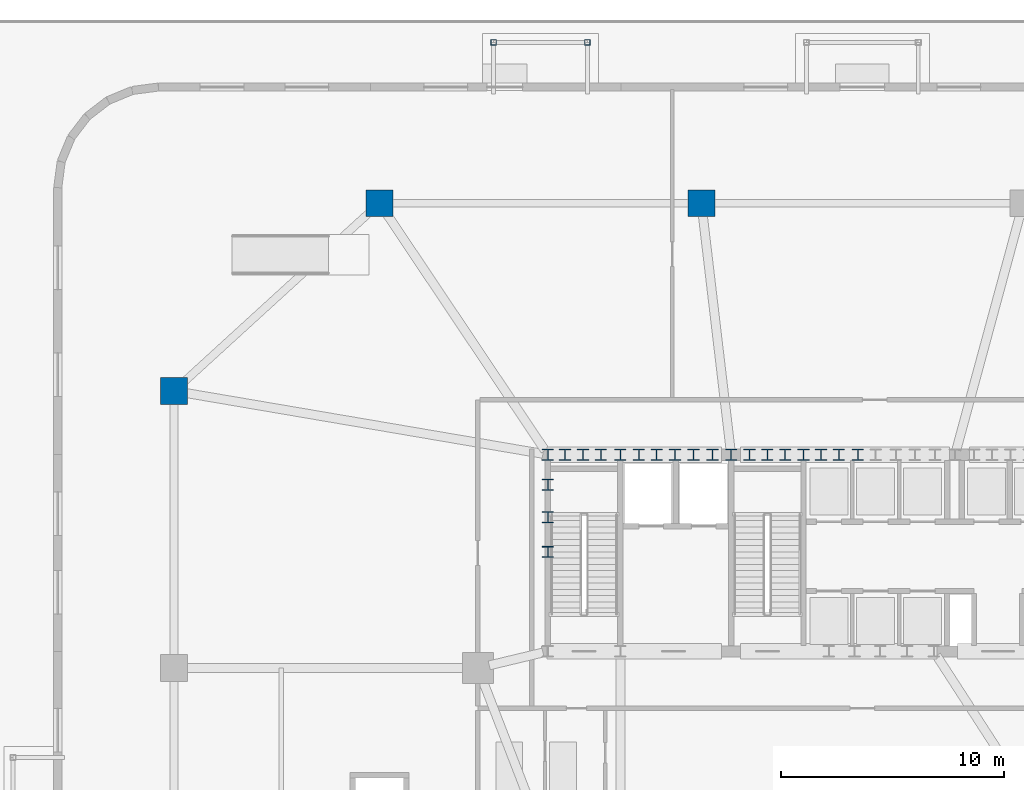
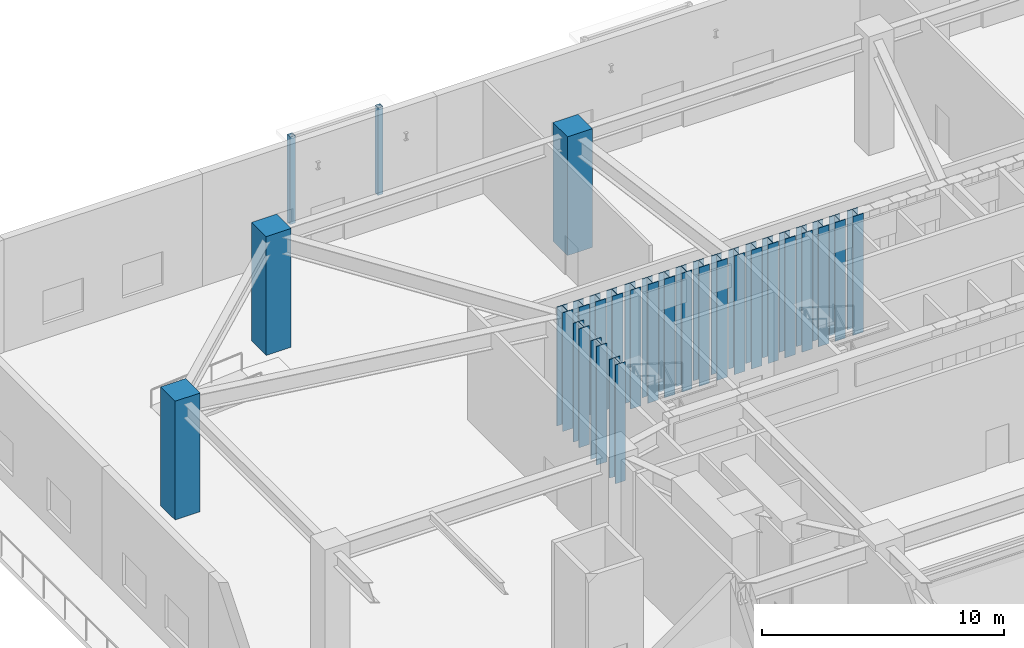
# One storey, part 3 of 21: 26 columns.
"""IFC4 building model written with IfcOpenShell, lengths in metres."""

from ifc_helpers import new_model, si_unit, direction, frame, origin, origin_2d, place, context, subcontext, project, spatial, rectangle, hollow_rectangle, i_section, extrude, material, material_profile, profile_set, type_object, element, save


model = new_model("IFC4")

# Units and contexts
model_context = context("Model", 3, precision=1e-05, world=origin(), true_north=direction((0.0, 1.0)))
body_context = subcontext(model_context, "Body", "Model", "MODEL_VIEW")
ifc_project = project(units=[si_unit("LENGTHUNIT", "METRE"), si_unit("AREAUNIT", "SQUARE_METRE"), si_unit("VOLUMEUNIT", "CUBIC_METRE"), si_unit("PLANEANGLEUNIT", "RADIAN"), si_unit("MASSUNIT", "GRAM", prefix="KILO")], contexts=[model_context])

# Site, building, storey
site_placement = place(None, origin())
site = spatial("IfcSite", under=ifc_project, at=site_placement, CompositionType="ELEMENT")
building_placement = place(site_placement, origin())
building = spatial("IfcBuilding", under=site, at=building_placement, Name="Haldorwick Loom Tower", CompositionType="ELEMENT")
storey_placement = place(building_placement, origin())
storey = spatial("IfcBuildingStorey", under=building, at=storey_placement, Name="L00", CompositionType="ELEMENT", Elevation=0.0)

# Columns
ifc_material_1 = material(Name="Steel CSA G40.21 350W", Category="steel")
ifc_material_profile_1 = material_profile(ifc_material_1, hollow_rectangle(XDim=0.25390625, YDim=0.25390625, WallThickness=0.0126953125, at=origin_2d()), Name="HSS254X254X13", Category="steel")
ifc_profile_set_1 = profile_set([ifc_material_profile_1], Name="Steel CSA G40.21 350W")
column_type_1 = type_object("IfcColumnType", Name="STR-COL-CN254", PredefinedType="COLUMN", material=ifc_profile_set_1)
for number, where, z_axis, x_axis, name in (
    (1, (19.5, 54.0, 0.0), (0.0, 0.0, 1.0), (1.0, 0.0, 0.0), "L00 Entrance Canopy Column CN-N1-1"),
    (2, (23.699951171875, 54.0, 0.0), (0.0, 0.0, 1.0), (1.0, 0.0, 0.0), "L00 Entrance Canopy Column CN-N1-2"),
):
    element("IfcColumn", number, at=place(storey_placement, frame(where, z_axis=z_axis, x_axis=x_axis)), inside=storey, type_object=column_type_1, Name=name, PredefinedType="COLUMN", context=body_context, shape_type="SweptSolid", body=[
        extrude(hollow_rectangle(XDim=0.25390625, YDim=0.25390625, WallThickness=0.0126953125, at=origin_2d()), origin(), (0.0, 0.0, 1.0), 4.419921875),
    ])
ifc_material_2 = material(Name="Concrete C60 (60 MPa)", Category="concrete")
ifc_material_profile_2 = material_profile(ifc_material_2, rectangle(XDim=1.199951171875, YDim=1.199951171875, at=origin_2d()), Name="RC1200X1200", Category="concrete")
ifc_profile_set_2 = profile_set([ifc_material_profile_2], Name="Concrete C60 (60 MPa)")
column_type_2 = type_object("IfcColumnType", Name="STR-COL-RC1200", PredefinedType="COLUMN", material=ifc_profile_set_2)
for number, where, z_axis, x_axis, name in (
    (3, (14.39990234375, 46.800048828125, 0.0), (0.0, 0.0, 1.0), (1.0, 0.0, 0.0), "L00 Podium Column PC-N1"),
    (4, (28.800048828125, 46.800048828125, 0.0), (0.0, 0.0, 1.0), (1.0, 0.0, 0.0), "L00 Podium Column PC-N2"),
    (5, (5.199951171875, 38.39990234375, 0.0), (0.0, 0.0, 1.0), (1.0, 0.0, 0.0), "L00 Podium Column PC-W3"),
):
    element("IfcColumn", number, at=place(storey_placement, frame(where, z_axis=z_axis, x_axis=x_axis)), inside=storey, type_object=column_type_2, Name=name, PredefinedType="COLUMN", context=body_context, shape_type="SweptSolid", body=[
        extrude(rectangle(XDim=1.199951171875, YDim=1.199951171875, at=origin_2d()), origin(), (0.0, 0.0, 1.0), 6.0),
    ])
ifc_material_3 = material(Name="Steel CSA G40.21 350WT", Category="steel")
ifc_material_profile_3 = material_profile(ifc_material_3, i_section(OverallWidth=0.5, OverallDepth=0.5, WebThickness=0.02197265625, FlangeThickness=0.031982421875, at=origin_2d()), Name="WWF500X500", Category="steel")
ifc_profile_set_3 = profile_set([ifc_material_profile_3], Name="Steel CSA G40.21 350WT")
column_type_3 = type_object("IfcColumnType", Name="STR-COL-WWF500", PredefinedType="COLUMN", material=ifc_profile_set_3)
for number, where, z_axis, x_axis, name in (
    (6, (21.929931640625, 35.550048828125, 0.0), (0.0, 0.0, 1.0), (1.0, 0.0, 0.0), "L00 Core Pilaster CB-01"),
    (7, (23.5, 35.550048828125, 0.0), (0.0, 0.0, 1.0), (1.0, 0.0, 0.0), "L00 Core Pilaster CB-02"),
    (8, (25.169921875, 35.550048828125, 0.0), (0.0, 0.0, 1.0), (1.0, 0.0, 0.0), "L00 Core Pilaster CB-03"),
    (9, (26.800048828125, 35.550048828125, 0.0), (0.0, 0.0, 1.0), (1.0, 0.0, 0.0), "L00 Core Pilaster CB-04"),
    (10, (28.449951171875, 35.550048828125, 0.0), (0.0, 0.0, 1.0), (1.0, 0.0, 0.0), "L00 Core Pilaster CB-05"),
    (11, (30.1298828125, 35.550048828125, 0.0), (0.0, 0.0, 1.0), (1.0, 0.0, 0.0), "L00 Core Pilaster CB-06"),
    (12, (31.75, 35.550048828125, 0.0), (0.0, 0.0, 1.0), (1.0, 0.0, 0.0), "L00 Core Pilaster CB-07"),
    (13, (33.3701171875, 35.550048828125, 0.0), (0.0, 0.0, 1.0), (1.0, 0.0, 0.0), "L00 Core Pilaster CB-08"),
    (14, (34.949951171875, 35.550048828125, 0.0), (0.0, 0.0, 1.0), (1.0, 0.0, 0.0), "L00 Core Pilaster CB-09"),
    (15, (21.929931640625, 31.199951171875, 0.0), (0.0, 0.0, 1.0), (1.0, 0.0, 0.0), "L00 Core Pilaster CB-26"),
    (16, (21.929931640625, 32.75, 0.0), (0.0, 0.0, 1.0), (1.0, 0.0, 0.0), "L00 Core Pilaster CB-27"),
    (17, (21.929931640625, 34.199951171875, 0.0), (0.0, 0.0, 1.0), (1.0, 0.0, 0.0), "L00 Core Pilaster CB-28"),
    (18, (22.699951171875, 35.550048828125, 0.0), (0.0, 0.0, 1.0), (1.0, 0.0, 0.0), "L00 Core Pilaster CB-33"),
    (19, (27.6201171875, 35.550048828125, 0.0), (0.0, 0.0, 1.0), (1.0, 0.0, 0.0), "L00 Core Pilaster CB-34"),
    (20, (32.550048828125, 35.550048828125, 0.0), (0.0, 0.0, 1.0), (1.0, 0.0, 0.0), "L00 Core Pilaster CB-35"),
    (21, (24.300048828125, 35.550048828125, 0.0), (0.0, 0.0, 1.0), (1.0, 0.0, 0.0), "L00 Core Pilaster CB-39"),
    (22, (26.0, 35.550048828125, 0.0), (0.0, 0.0, 1.0), (1.0, 0.0, 0.0), "L00 Core Pilaster CB-40"),
    (23, (29.300048828125, 35.550048828125, 0.0), (0.0, 0.0, 1.0), (1.0, 0.0, 0.0), "L00 Core Pilaster CB-41"),
    (24, (30.949951171875, 35.550048828125, 0.0), (0.0, 0.0, 1.0), (1.0, 0.0, 0.0), "L00 Core Pilaster CB-42"),
    (25, (34.14990234375, 35.550048828125, 0.0), (0.0, 0.0, 1.0), (1.0, 0.0, 0.0), "L00 Core Pilaster CB-43"),
    (26, (35.800048828125, 35.550048828125, 0.0), (0.0, 0.0, 1.0), (1.0, 0.0, 0.0), "L00 Core Pilaster CB-44"),
):
    element("IfcColumn", number, at=place(storey_placement, frame(where, z_axis=z_axis, x_axis=x_axis)), inside=storey, type_object=column_type_3, Name=name, PredefinedType="COLUMN", context=body_context, shape_type="SweptSolid", body=[
        extrude(i_section(OverallWidth=0.5, OverallDepth=0.5, WebThickness=0.02197265625, FlangeThickness=0.031982421875, at=origin_2d()), origin(), (0.0, 0.0, 1.0), 6.0),
    ])

save(model, "model.ifc")
